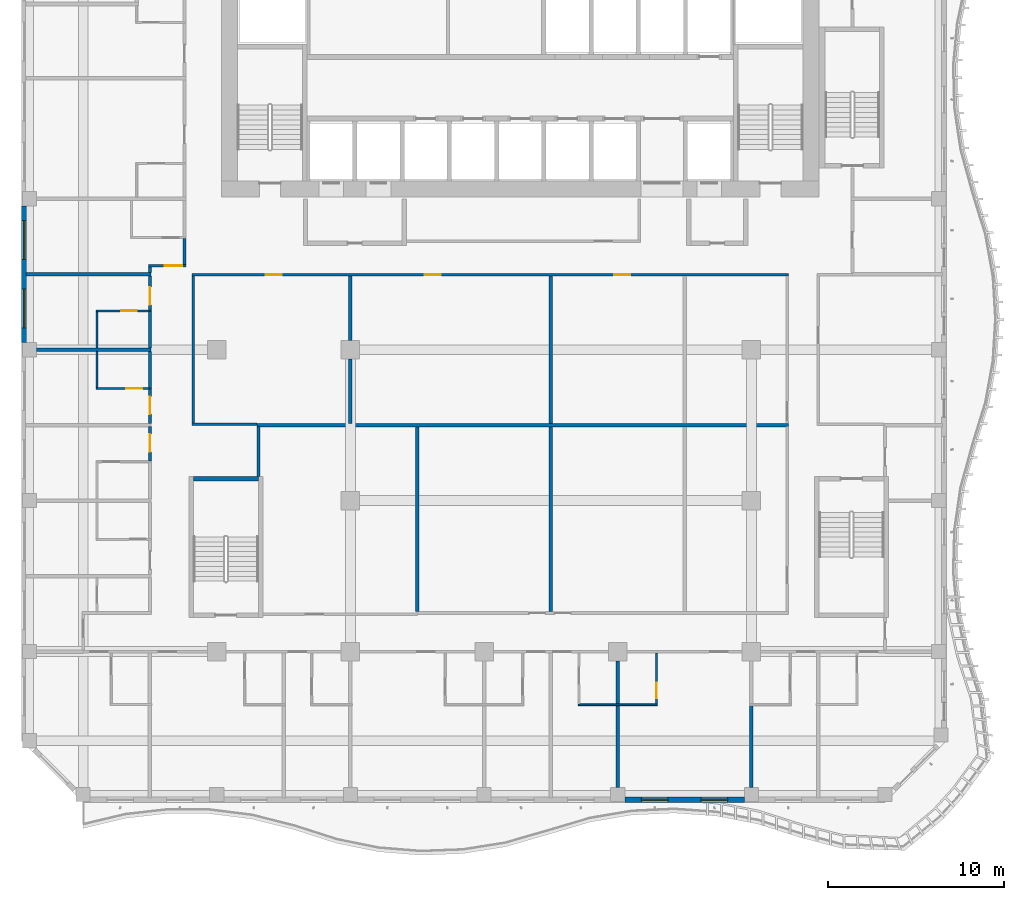
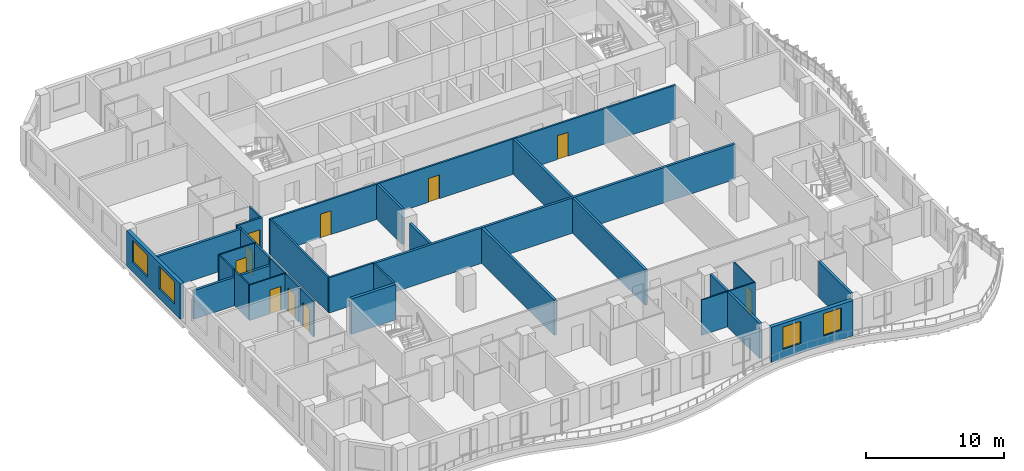
# One storey, part 4 of 23: 32 walls, 10 doors, 4 windows, 14 openings.
"""IFC4 building model written with IfcOpenShell, lengths in metres."""

import ifcopenshell
import ifcopenshell.guid

model = None  # the IFC model being written
_history = None  # IfcOwnerHistory: only IFC2X3 demands one
_inside = {}  # id of a spatial element -> (the spatial element, [elements in it])
_under = {}  # id of a project, library or spatial element -> (it, [spatial elements below it])
_declared = {}  # id of a project -> (the project, [libraries it declares])
_typed = {}  # id of a type object -> (the type object, [elements of that type])
_made_of = {}  # id of a material, layer set ... -> (it, [elements and type objects made of it])


def new_model(schema):
    """Start an empty IFC model of exactly this schema.

    Asked for "IFC4X3", IfcOpenShell would pick the latest addendum, in which some entities
    have other attributes; the version numbers below select the first issue.
    IFC2X3 requires an IfcOwnerHistory on every rooted entity: one is made here for all.
    """
    global model, _history
    if schema == "IFC4X3":
        model = ifcopenshell.file(schema_version=(4, 3, 0, 0))
    else:
        model = ifcopenshell.file(schema=schema)
    _inside.clear()
    _under.clear()
    _declared.clear()
    _typed.clear()
    _made_of.clear()
    _history = None
    if model.schema == "IFC2X3":
        org = make("IfcOrganization", Name="unknown")
        user = make(
            "IfcPersonAndOrganization",
            ThePerson=make("IfcPerson", FamilyName="unknown"),
            TheOrganization=org,
        )
        app = make(
            "IfcApplication",
            ApplicationDeveloper=org,
            Version="unknown",
            ApplicationFullName="unknown",
            ApplicationIdentifier="unknown",
        )
        _history = make(
            "IfcOwnerHistory",
            OwningUser=user,
            OwningApplication=app,
            ChangeAction="ADDED",
            CreationDate=0,
        )
    return model


def make(cls, **values):
    """One entity of the class cls with the attributes given. An attribute that is None is left unset."""
    return model.create_entity(
        cls, **{name: value for name, value in values.items() if value is not None}
    )


def rooted(cls, **values):
    """An entity with a GlobalId (a new one), such as an element, a storey or a relation."""
    return make(cls, GlobalId=ifcopenshell.guid.new(), OwnerHistory=_history, **values)


def si_unit(unit_type, name, prefix=None):
    """IfcSIUnit, for example si_unit("LENGTHUNIT", "METRE", prefix="MILLI")."""
    return make("IfcSIUnit", UnitType=unit_type, Prefix=prefix, Name=name)


def assignment(units):
    """IfcUnitAssignment: the units of a project."""
    return None if units is None else make("IfcUnitAssignment", Units=units)


def point(xyz):
    """IfcCartesianPoint."""
    return None if xyz is None else make("IfcCartesianPoint", Coordinates=xyz)


def direction(xyz):
    """IfcDirection."""
    return None if xyz is None else make("IfcDirection", DirectionRatios=xyz)


def frame(location, z_axis=None, x_axis=None):
    """IfcAxis2Placement3D, a coordinate frame: its origin and axes. An axis left out is left unset."""
    return make(
        "IfcAxis2Placement3D",
        Location=point(location),
        Axis=direction(z_axis),
        RefDirection=direction(x_axis),
    )


def frame_2d(location, x_axis=None):
    """IfcAxis2Placement2D, a coordinate frame in the plane: its origin and x axis."""
    return make(
        "IfcAxis2Placement2D", Location=point(location), RefDirection=direction(x_axis)
    )


def origin():
    """The frame at (0, 0, 0) with its axes left unset."""
    return frame((0.0, 0.0, 0.0))


def place(relative_to, where):
    """IfcLocalPlacement: puts the frame where relative to a parent placement (None: the world)."""
    return make(
        "IfcLocalPlacement", PlacementRelTo=relative_to, RelativePlacement=where
    )


def context(
    kind, dimensions, precision=None, world=None, true_north=None, identifier=None
):
    """IfcGeometricRepresentationContext, for example the 3D "Model" context."""
    return make(
        "IfcGeometricRepresentationContext",
        ContextIdentifier=identifier,
        ContextType=kind,
        CoordinateSpaceDimension=dimensions,
        Precision=precision,
        WorldCoordinateSystem=world,
        TrueNorth=true_north,
    )


def subcontext(parent, identifier, kind, view, scale=None):
    """IfcGeometricRepresentationSubContext, for example "Body" below "Model"."""
    return make(
        "IfcGeometricRepresentationSubContext",
        ContextIdentifier=identifier,
        ContextType=kind,
        ParentContext=parent,
        TargetScale=scale,
        TargetView=view,
    )


def project(units=None, contexts=None):
    """IfcProject with its units and contexts."""
    return rooted(
        "IfcProject",
        Name="project",
        RepresentationContexts=contexts,
        UnitsInContext=assignment(units),
    )


def spatial(cls, under=None, at=None, **own):
    """A site, building, storey or space (cls), placed at a placement, below another one or the project."""
    s = rooted(cls, ObjectPlacement=at, **own)
    if under is not None:
        _under.setdefault(under.id(), (under, []))[1].append(s)
    return s


def profile(cls, at=None, kind="AREA", **sizes):
    """A parametric profile (cls). Its sizes go by their IFC names, for example OverallWidth=200.0."""
    return make(cls, ProfileType=kind, Position=at, **sizes)


def rectangle(**sizes):
    """IfcRectangleProfileDef."""
    return profile("IfcRectangleProfileDef", **sizes)


def extrude(swept, where, along, depth):
    """IfcExtrudedAreaSolid: the profile swept, set in the frame where, extruded along a direction by depth."""
    return make(
        "IfcExtrudedAreaSolid",
        SweptArea=swept,
        Position=where,
        ExtrudedDirection=direction(along),
        Depth=depth,
    )


def shape(context_of_items, identifier, shape_type, items):
    """IfcShapeRepresentation: the items that make up one representation, for example the "Body"."""
    return make(
        "IfcShapeRepresentation",
        ContextOfItems=context_of_items,
        RepresentationIdentifier=identifier,
        RepresentationType=shape_type,
        Items=items,
    )


def source(mapping_origin, context_of_items, identifier, shape_type, items):
    """IfcRepresentationMap: a shape defined once, which mapped items show again and again."""
    return make(
        "IfcRepresentationMap",
        MappingOrigin=mapping_origin,
        MappedRepresentation=shape(context_of_items, identifier, shape_type, items),
    )


def transform(
    local_origin,
    x_axis=None,
    y_axis=None,
    z_axis=None,
    scale=None,
    scale2=None,
    scale3=None,
    uniform=True,
):
    """IfcCartesianTransformationOperator3D, or its non-uniform kind. x_axis, y_axis, z_axis: its Axis1, 2, 3."""
    if uniform:
        return make(
            "IfcCartesianTransformationOperator3D",
            Axis1=direction(x_axis),
            Axis2=direction(y_axis),
            LocalOrigin=point(local_origin),
            Scale=scale,
            Axis3=direction(z_axis),
        )
    return make(
        "IfcCartesianTransformationOperator3DnonUniform",
        Axis1=direction(x_axis),
        Axis2=direction(y_axis),
        LocalOrigin=point(local_origin),
        Scale=scale,
        Axis3=direction(z_axis),
        Scale2=scale2,
        Scale3=scale3,
    )


def mapped(mapping_source, mapping_target):
    """IfcMappedItem: shows the shape of a source again, moved by a transform."""
    return make(
        "IfcMappedItem", MappingSource=mapping_source, MappingTarget=mapping_target
    )


def material(Name=None, Category=None):
    """IfcMaterial."""
    return make("IfcMaterial", Name=Name, Category=Category)


def layer(
    of_material, thickness, ventilated=None, Name=None, Category=None, Priority=None
):
    """IfcMaterialLayer: one layer of a wall or slab, of a material (None: an air gap)."""
    return make(
        "IfcMaterialLayer",
        Material=of_material,
        LayerThickness=thickness,
        IsVentilated=ventilated,
        Name=Name,
        Category=Category,
        Priority=Priority,
    )


def layer_set(layers, Name=None):
    """IfcMaterialLayerSet."""
    return make("IfcMaterialLayerSet", MaterialLayers=layers, LayerSetName=Name)


def made_of(thing, what):
    """Note that an element or type object is made of a material, layer set ...; save() writes the relation."""
    if what is not None:
        _made_of.setdefault(what.id(), (what, []))[1].append(thing)
    return thing


def type_object(cls, material=None, **own):
    """A type object (cls), such as IfcWallType, which elements share."""
    return made_of(rooted(cls, **own), material)


def element(
    cls,
    number,
    at=None,
    inside=None,
    cuts=None,
    type_object=None,
    material=None,
    context=None,
    identifier="Body",
    shape_type=None,
    held_by="IfcProductDefinitionShape",
    body=None,
    shapes=None,
    **own,
):
    """One element of the class cls, such as IfcWall. Its Tag is "e" and its number.

    at: its placement. inside: the storey or other place that contains it. cuts: it is an
    opening in that element (IfcRelVoidsElement). A single representation is given by context,
    identifier, shape_type and body (its items); several are given by shapes. held_by: the class
    of the entity that holds the representations. save() writes the other relations.
    """
    e = rooted(cls, Tag="e%d" % number, ObjectPlacement=at, **own)
    if body is not None:
        shapes = [shape(context, identifier, shape_type, body)]
    if shapes is not None:
        e.Representation = make(held_by, Representations=shapes)
    if inside is not None:
        _inside.setdefault(inside.id(), (inside, []))[1].append(e)
    if cuts is not None:
        rooted(
            "IfcRelVoidsElement", RelatingBuildingElement=cuts, RelatedOpeningElement=e
        )
    if type_object is not None:
        _typed.setdefault(type_object.id(), (type_object, []))[1].append(e)
    return made_of(e, material)


def fill(opening, filler):
    """IfcRelFillsElement: the door or window that sits in an opening."""
    return rooted(
        "IfcRelFillsElement",
        RelatingOpeningElement=opening,
        RelatedBuildingElement=filler,
    )


def aggregate(whole, parts):
    """IfcRelAggregates: a whole, such as a stair, and the parts it consists of."""
    return rooted("IfcRelAggregates", RelatingObject=whole, RelatedObjects=parts)


def save(model, path):
    """Write the relations noted so far, then the file.

    IfcRelAggregates (storeys below a building ...), IfcRelContainedInSpatialStructure (elements
    in a storey), IfcRelDefinesByType, IfcRelAssociatesMaterial and IfcRelDeclares: one each for
    every whole, place, type object, material and project.
    """
    for whole, parts in _under.values():
        aggregate(whole, parts)
    for where, things in _inside.values():
        rooted(
            "IfcRelContainedInSpatialStructure",
            RelatedElements=things,
            RelatingStructure=where,
        )
    for kind, things in _typed.values():
        rooted("IfcRelDefinesByType", RelatedObjects=things, RelatingType=kind)
    for what, things in _made_of.values():
        rooted("IfcRelAssociatesMaterial", RelatedObjects=things, RelatingMaterial=what)
    for by, libraries in _declared.values():
        rooted("IfcRelDeclares", RelatingContext=by, RelatedDefinitions=libraries)
    model.write(path)


model = new_model("IFC4")

# Units and contexts
model_context = context("Model", 3, precision=1e-05, world=origin(), true_north=direction((0.0, 1.0)))
body_context = subcontext(model_context, "Body", "Model", "MODEL_VIEW")
ifc_project = project(units=[si_unit("LENGTHUNIT", "METRE"), si_unit("AREAUNIT", "SQUARE_METRE"), si_unit("VOLUMEUNIT", "CUBIC_METRE"), si_unit("PLANEANGLEUNIT", "RADIAN"), si_unit("MASSUNIT", "GRAM", prefix="KILO")], contexts=[model_context])

# Site, building, storey
site_placement = place(None, origin())
site = spatial("IfcSite", under=ifc_project, at=site_placement, CompositionType="ELEMENT")
building_placement = place(site_placement, origin())
building = spatial("IfcBuilding", under=site, at=building_placement, Name="Kilnfold Tower and Market Hall", CompositionType="ELEMENT")
storey_placement = place(building_placement, frame((0.0, 0.0, 178.699951171875)))
storey = spatial("IfcBuildingStorey", under=building, at=storey_placement, Name="L42", CompositionType="ELEMENT", Elevation=178.699951171875)

# Wall, opening, door
ifc_material_1 = material(Name="Gypsum board on steel studs", Category="steel")
ifc_layer_1 = layer(ifc_material_1, 0.14990234375)
ifc_layer_set_1 = layer_set([ifc_layer_1], Name="Gypsum board on steel studs")
wall_type_1 = type_object("IfcWallType", Name="WALL CORRIDOR 150", PredefinedType="PARTITIONING", material=ifc_layer_set_1)
wall_1_placement = place(storey_placement, frame((-19.958984375, -6.885009765625, 0.0), z_axis=(0.0, 0.0, 1.0), x_axis=(0.0, 1.0, 0.0)))
wall_1 = element("IfcWall", 1, at=wall_1_placement, inside=storey, type_object=wall_type_1, Name="Partition LY27.12", PredefinedType="PARTITIONING", context=body_context, shape_type="SweptSolid", body=[
    extrude(rectangle(XDim=1.951904296875, YDim=0.14990234375, at=frame_2d((0.97607421875, 0.0))), origin(), (0.0, 0.0, 1.0), 3.1201171875),
])
opening_1_placement = place(wall_1_placement, frame((0.531005859375, 0.0, 0.0)))
opening_1 = element("IfcOpeningElement", 2, at=opening_1_placement, cuts=wall_1, Name="Opening D1", PredefinedType="OPENING", context=body_context, shape_type="SweptSolid", body=[
    extrude(rectangle(XDim=1.0, YDim=2.10009765625, at=frame_2d((0.5, 1.050048828125))), frame((0.0, 0.0849609375, 0.0), z_axis=(0.0, -1.0, 0.0), x_axis=(1.0, 0.0, 0.0)), (0.0, 0.0, 1.0), 0.169921875),
])
ifc_material_2 = material(Name="Timber veneer door leaf in steel frame", Category="steel")
door_type_1 = type_object("IfcDoorType", Name="DOOR ENTRY 1000 X2100", OperationType="NOTDEFINED", PredefinedType="DOOR", material=ifc_material_2)
door_1_placement = place(opening_1_placement, origin())
door_1 = element("IfcDoor", 3, at=door_1_placement, inside=storey, type_object=door_type_1, Name="Door D1", OperationType="SINGLE_SWING_LEFT", OverallHeight=2.10009765625, OverallWidth=1.0, PredefinedType="DOOR", context=body_context, shape_type="SweptSolid", body=[
    extrude(rectangle(XDim=1.0, YDim=2.10009765625, at=frame_2d((0.5, 1.050048828125))), frame((0.0, 0.02490234375, 0.0), z_axis=(0.0, -1.0, 0.0), x_axis=(1.0, 0.0, 0.0)), (0.0, 0.0, 1.0), 0.050048828125),
])
fill(opening_1, door_1)

wall_2_placement = place(storey_placement, frame((-19.958984375, -4.7529296875, 0.0), z_axis=(0.0, 0.0, 1.0), x_axis=(0.0, 1.0, 0.0)))
wall_2 = element("IfcWall", 4, at=wall_2_placement, inside=storey, type_object=wall_type_1, Name="Partition LY27.14", PredefinedType="PARTITIONING", context=body_context, shape_type="SweptSolid", body=[
    extrude(rectangle(XDim=1.950927734375, YDim=0.14990234375, at=frame_2d((0.9755859375, 0.0))), origin(), (0.0, 0.0, 1.0), 3.1201171875),
])
opening_2_placement = place(wall_2_placement, frame((0.531005859375, 0.0, 0.0)))
opening_2 = element("IfcOpeningElement", 5, at=opening_2_placement, cuts=wall_2, Name="Opening D1", PredefinedType="OPENING", context=body_context, shape_type="SweptSolid", body=[
    extrude(rectangle(XDim=1.0, YDim=2.10009765625, at=frame_2d((0.5, 1.050048828125))), frame((0.0, 0.0849609375, 0.0), z_axis=(0.0, -1.0, 0.0), x_axis=(1.0, 0.0, 0.0)), (0.0, 0.0, 1.0), 0.169921875),
])
door_2_placement = place(opening_2_placement, origin())
door_2 = element("IfcDoor", 6, at=door_2_placement, inside=storey, type_object=door_type_1, Name="Door D1", OperationType="SINGLE_SWING_LEFT", OverallHeight=2.10009765625, OverallWidth=1.0, PredefinedType="DOOR", context=body_context, shape_type="SweptSolid", body=[
    extrude(rectangle(XDim=1.0, YDim=2.10009765625, at=frame_2d((0.5, 1.050048828125))), frame((0.0, 0.02490234375, 0.0), z_axis=(0.0, -1.0, 0.0), x_axis=(1.0, 0.0, 0.0)), (0.0, 0.0, 1.0), 0.050048828125),
])
fill(opening_2, door_2)

# Wall
wall_3_placement = place(storey_placement, frame((-19.958984375, -2.721923828125, 0.0), z_axis=(0.0, 0.0, 1.0), x_axis=(0.0, 1.0, 0.0)))
element("IfcWall", 7, at=wall_3_placement, inside=storey, type_object=wall_type_1, Name="Partition LY27.15", PredefinedType="PARTITIONING", context=body_context, shape_type="SweptSolid", body=[
    extrude(rectangle(XDim=2.06982421875, YDim=0.14990234375, at=frame_2d((1.034912109375, 0.0))), origin(), (0.0, 0.0, 1.0), 3.1201171875),
])

# Wall, opening, door
wall_4_placement = place(storey_placement, frame((-19.958984375, 1.677978515625, 0.0), z_axis=(0.0, 0.0, 1.0), x_axis=(0.0, 1.0, 0.0)))
wall_4 = element("IfcWall", 8, at=wall_4_placement, inside=storey, type_object=wall_type_1, Name="Partition LY27.16", PredefinedType="PARTITIONING", context=body_context, shape_type="SweptSolid", body=[
    extrude(rectangle(XDim=1.950927734375, YDim=0.14990234375, at=frame_2d((0.9755859375, 0.0))), origin(), (0.0, 0.0, 1.0), 3.1201171875),
])
opening_3_placement = place(wall_4_placement, frame((0.31005859375, 0.0, 0.0)))
opening_3 = element("IfcOpeningElement", 9, at=opening_3_placement, cuts=wall_4, Name="Opening D1", PredefinedType="OPENING", context=body_context, shape_type="SweptSolid", body=[
    extrude(rectangle(XDim=1.0, YDim=2.10009765625, at=frame_2d((0.5, 1.050048828125))), frame((0.0, 0.0849609375, 0.0), z_axis=(0.0, -1.0, 0.0), x_axis=(1.0, 0.0, 0.0)), (0.0, 0.0, 1.0), 0.169921875),
])
door_3_placement = place(opening_3_placement, origin())
door_3 = element("IfcDoor", 10, at=door_3_placement, inside=storey, type_object=door_type_1, Name="Door D1", OperationType="SINGLE_SWING_LEFT", OverallHeight=2.10009765625, OverallWidth=1.0, PredefinedType="DOOR", context=body_context, shape_type="SweptSolid", body=[
    extrude(rectangle(XDim=1.0, YDim=2.10009765625, at=frame_2d((0.5, 1.050048828125))), frame((0.0, 0.02490234375, 0.0), z_axis=(0.0, -1.0, 0.0), x_axis=(1.0, 0.0, 0.0)), (0.0, 0.0, 1.0), 0.050048828125),
])
fill(opening_3, door_3)

# Walls
wall_5_placement = place(storey_placement, frame((-19.958984375, -0.471923828125, 0.0), z_axis=(0.0, 0.0, 1.0), x_axis=(0.0, 1.0, 0.0)))
element("IfcWall", 11, at=wall_5_placement, inside=storey, type_object=wall_type_1, Name="Partition LY27.17", PredefinedType="PARTITIONING", context=body_context, shape_type="SweptSolid", body=[
    extrude(rectangle(XDim=2.06982421875, YDim=0.14990234375, at=frame_2d((1.034912109375, 0.0))), origin(), (0.0, 0.0, 1.0), 3.1201171875),
])
wall_6_placement = place(storey_placement, frame((-19.958984375, 3.80908203125, 0.0), z_axis=(0.0, 0.0, 1.0), x_axis=(0.0, 1.0, 0.0)))
element("IfcWall", 12, at=wall_6_placement, inside=storey, type_object=wall_type_1, Name="Partition LY27.18", PredefinedType="PARTITIONING", context=body_context, shape_type="SweptSolid", body=[
    extrude(rectangle(XDim=0.31591796875, YDim=0.14990234375, at=frame_2d((0.157958984375, 0.0))), origin(), (0.0, 0.0, 1.0), 3.1201171875),
])

# Wall, opening, door
wall_7_placement = place(storey_placement, frame((-17.925048828125, 4.199951171875, 0.0), z_axis=(0.0, 0.0, 1.0), x_axis=(-1.0, 0.0, 0.0)))
wall_7 = element("IfcWall", 13, at=wall_7_placement, inside=storey, type_object=wall_type_1, Name="Partition LY27.19", PredefinedType="PARTITIONING", context=body_context, shape_type="SweptSolid", body=[
    extrude(rectangle(XDim=2.10888671875, YDim=0.14990234375, at=frame_2d((1.054443359375, 0.0))), origin(), (0.0, 0.0, 1.0), 3.1201171875),
])
opening_4_placement = place(wall_7_placement, frame((0.199951171875, 0.0, 0.0)))
opening_4 = element("IfcOpeningElement", 14, at=opening_4_placement, cuts=wall_7, Name="Opening D1", PredefinedType="OPENING", context=body_context, shape_type="SweptSolid", body=[
    extrude(rectangle(XDim=1.0, YDim=2.10009765625, at=frame_2d((0.5, 1.050048828125))), frame((0.0, 0.0849609375, 0.0), z_axis=(0.0, -1.0, 0.0), x_axis=(1.0, 0.0, 0.0)), (0.0, 0.0, 1.0), 0.169921875),
])
door_4_placement = place(opening_4_placement, origin())
door_4 = element("IfcDoor", 15, at=door_4_placement, inside=storey, type_object=door_type_1, Name="Door D1", OperationType="SINGLE_SWING_LEFT", OverallHeight=2.10009765625, OverallWidth=1.0, PredefinedType="DOOR", context=body_context, shape_type="SweptSolid", body=[
    extrude(rectangle(XDim=1.0, YDim=2.10009765625, at=frame_2d((0.5, 1.050048828125))), frame((0.0, 0.02490234375, 0.0), z_axis=(0.0, -1.0, 0.0), x_axis=(1.0, 0.0, 0.0)), (0.0, 0.0, 1.0), 0.050048828125),
])
fill(opening_4, door_4)

# Wall
wall_8_placement = place(storey_placement, frame((-18.0, 4.27490234375, 0.0), z_axis=(0.0, 0.0, 1.0), x_axis=(0.0, 1.0, 0.0)))
element("IfcWall", 16, at=wall_8_placement, inside=storey, type_object=wall_type_1, Name="Partition LY27.20", PredefinedType="PARTITIONING", context=body_context, shape_type="SweptSolid", body=[
    extrude(rectangle(XDim=1.485107421875, YDim=0.14990234375, at=frame_2d((0.74267578125, 0.0))), origin(), (0.0, 0.0, 1.0), 3.1201171875),
])

# Wall, openings, doors
wall_9_placement = place(storey_placement, frame((-17.574951171875, 3.699951171875, 0.0), z_axis=(0.0, 0.0, 1.0), x_axis=(1.0, 0.0, 0.0)))
wall_9 = element("IfcWall", 17, at=wall_9_placement, inside=storey, type_object=wall_type_1, Name="Partition LY27.42", PredefinedType="PARTITIONING", context=body_context, shape_type="SweptSolid", body=[
    extrude(rectangle(XDim=33.849853515625, YDim=0.14990234375, at=frame_2d((16.9248046875, 0.0))), origin(), (0.0, 0.0, 1.0), 3.1201171875),
])
opening_5_placement = place(wall_9_placement, frame((4.200927734375, 0.0, 0.0)))
opening_5 = element("IfcOpeningElement", 18, at=opening_5_placement, cuts=wall_9, Name="Opening D2", PredefinedType="OPENING", context=body_context, shape_type="SweptSolid", body=[
    extrude(rectangle(XDim=0.89990234375, YDim=2.10009765625, at=frame_2d((0.449951171875, 1.050048828125))), frame((0.0, 0.0849609375, 0.0), z_axis=(0.0, -1.0, 0.0), x_axis=(1.0, 0.0, 0.0)), (0.0, 0.0, 1.0), 0.169921875),
])
opening_6_placement = place(wall_9_placement, frame((13.219970703125, 0.0, 0.0)))
opening_6 = element("IfcOpeningElement", 19, at=opening_6_placement, cuts=wall_9, Name="Opening D2", PredefinedType="OPENING", context=body_context, shape_type="SweptSolid", body=[
    extrude(rectangle(XDim=0.89990234375, YDim=2.10009765625, at=frame_2d((0.449951171875, 1.050048828125))), frame((0.0, 0.0849609375, 0.0), z_axis=(0.0, -1.0, 0.0), x_axis=(1.0, 0.0, 0.0)), (0.0, 0.0, 1.0), 0.169921875),
])
opening_7_placement = place(wall_9_placement, frame((23.958984375, 0.0, 0.0)))
opening_7 = element("IfcOpeningElement", 20, at=opening_7_placement, cuts=wall_9, Name="Opening D2", PredefinedType="OPENING", context=body_context, shape_type="SweptSolid", body=[
    extrude(rectangle(XDim=0.89990234375, YDim=2.10009765625, at=frame_2d((0.449951171875, 1.050048828125))), frame((0.0, 0.0849609375, 0.0), z_axis=(0.0, -1.0, 0.0), x_axis=(1.0, 0.0, 0.0)), (0.0, 0.0, 1.0), 0.169921875),
])
ifc_material_3 = material(Name="Timber veneer door leaf in steel frame", Category="steel")
door_type_2 = type_object("IfcDoorType", Name="DOOR ROOM 900 X2100", OperationType="NOTDEFINED", PredefinedType="DOOR", material=ifc_material_3)
door_5_placement = place(opening_5_placement, origin())
door_5 = element("IfcDoor", 21, at=door_5_placement, inside=storey, type_object=door_type_2, Name="Door D2", OperationType="SINGLE_SWING_LEFT", OverallHeight=2.10009765625, OverallWidth=0.89990234375, PredefinedType="DOOR", context=body_context, shape_type="SweptSolid", body=[
    extrude(rectangle(XDim=0.89990234375, YDim=2.10009765625, at=frame_2d((0.449951171875, 1.050048828125))), frame((0.0, 0.02490234375, 0.0), z_axis=(0.0, -1.0, 0.0), x_axis=(1.0, 0.0, 0.0)), (0.0, 0.0, 1.0), 0.050048828125),
])
fill(opening_5, door_5)
door_6_placement = place(opening_6_placement, origin())
door_6 = element("IfcDoor", 22, at=door_6_placement, inside=storey, type_object=door_type_2, Name="Door D2", OperationType="SINGLE_SWING_LEFT", OverallHeight=2.10009765625, OverallWidth=0.89990234375, PredefinedType="DOOR", context=body_context, shape_type="SweptSolid", body=[
    extrude(rectangle(XDim=0.89990234375, YDim=2.10009765625, at=frame_2d((0.449951171875, 1.050048828125))), frame((0.0, 0.02490234375, 0.0), z_axis=(0.0, -1.0, 0.0), x_axis=(1.0, 0.0, 0.0)), (0.0, 0.0, 1.0), 0.050048828125),
])
fill(opening_6, door_6)
door_7_placement = place(opening_7_placement, origin())
door_7 = element("IfcDoor", 23, at=door_7_placement, inside=storey, type_object=door_type_2, Name="Door D2", OperationType="SINGLE_SWING_LEFT", OverallHeight=2.10009765625, OverallWidth=0.89990234375, PredefinedType="DOOR", context=body_context, shape_type="SweptSolid", body=[
    extrude(rectangle(XDim=0.89990234375, YDim=2.10009765625, at=frame_2d((0.449951171875, 1.050048828125))), frame((0.0, 0.02490234375, 0.0), z_axis=(0.0, -1.0, 0.0), x_axis=(1.0, 0.0, 0.0)), (0.0, 0.0, 1.0), 0.050048828125),
])
fill(opening_7, door_7)

# Walls
wall_10_placement = place(storey_placement, frame((-17.5, -4.72509765625, 0.0), z_axis=(0.0, 0.0, 1.0), x_axis=(0.0, 1.0, 0.0)))
element("IfcWall", 24, at=wall_10_placement, inside=storey, type_object=wall_type_1, Name="Partition LY27.43", PredefinedType="PARTITIONING", context=body_context, shape_type="SweptSolid", body=[
    extrude(rectangle(XDim=8.35009765625, YDim=0.14990234375, at=frame_2d((4.175048828125, 0.0))), origin(), (0.0, 0.0, 1.0), 3.1201171875),
])
wall_11_placement = place(storey_placement, frame((-17.574951171875, -4.800048828125, 0.0), z_axis=(0.0, 0.0, 1.0), x_axis=(1.0, 0.0, 0.0)))
element("IfcWall", 25, at=wall_11_placement, inside=storey, type_object=wall_type_1, Name="Partition LY27.44", PredefinedType="PARTITIONING", context=body_context, shape_type="SweptSolid", body=[
    extrude(rectangle(XDim=3.701904296875, YDim=0.14990234375, at=frame_2d((1.85107421875, 0.0))), origin(), (0.0, 0.0, 1.0), 3.1201171875),
])
wall_12_placement = place(storey_placement, frame((-13.800048828125, -7.75, 0.0), z_axis=(0.0, 0.0, 1.0), x_axis=(0.0, 1.0, 0.0)))
element("IfcWall", 26, at=wall_12_placement, inside=storey, type_object=wall_type_1, Name="Partition LY27.46", PredefinedType="PARTITIONING", context=body_context, shape_type="SweptSolid", body=[
    extrude(rectangle(XDim=2.81689453125, YDim=0.14990234375, at=frame_2d((1.408447265625, 0.0))), origin(), (0.0, 0.0, 1.0), 3.1201171875),
])
ifc_material_4 = material(Name="Gypsum board on steel studs", Category="steel")
ifc_layer_2 = layer(ifc_material_4, 0.10009765625)
ifc_layer_set_2 = layer_set([ifc_layer_2], Name="Gypsum board on steel studs")
wall_type_2 = type_object("IfcWallType", Name="WALL PARTITION 100", PredefinedType="PARTITIONING", material=ifc_layer_set_2)
wall_13_placement = place(storey_placement, frame((4.3330078125, -20.701904296875, 0.0), z_axis=(0.0, 0.0, 1.0), x_axis=(1.0, 0.0, 0.0)))
element("IfcWall", 27, at=wall_13_placement, inside=storey, type_object=wall_type_2, Name="Partition LY27.70", PredefinedType="PARTITIONING", context=body_context, shape_type="SweptSolid", body=[
    extrude(rectangle(XDim=4.5, YDim=0.10009765625, at=frame_2d((2.25, 0.0))), origin(), (0.0, 0.0, 1.0), 3.1201171875),
])

# Wall, opening, door
wall_14_placement = place(storey_placement, frame((8.782958984375, -17.777099609375, 0.0), z_axis=(0.0, 0.0, 1.0), x_axis=(0.0, -1.0, 0.0)))
wall_14 = element("IfcWall", 28, at=wall_14_placement, inside=storey, type_object=wall_type_2, Name="Partition LY27.73", PredefinedType="PARTITIONING", context=body_context, shape_type="SweptSolid", body=[
    extrude(rectangle(XDim=2.875, YDim=0.10009765625, at=frame_2d((1.4375, 0.0))), origin(), (0.0, 0.0, 1.0), 3.1201171875),
])
opening_8_placement = place(wall_14_placement, frame((1.669921875, 0.0, 0.0)))
opening_8 = element("IfcOpeningElement", 29, at=opening_8_placement, cuts=wall_14, Name="Opening D3", PredefinedType="OPENING", context=body_context, shape_type="SweptSolid", body=[
    extrude(rectangle(XDim=0.89990234375, YDim=2.10009765625, at=frame_2d((0.449951171875, 1.050048828125))), frame((0.0, 0.06005859375, 0.0), z_axis=(0.0, -1.0, 0.0), x_axis=(1.0, 0.0, 0.0)), (0.0, 0.0, 1.0), 0.1201171875),
])
ifc_material_5 = material(Name="Timber veneer door leaf in steel frame", Category="steel")
door_type_3 = type_object("IfcDoorType", Name="DOOR WC 900 X2100", OperationType="NOTDEFINED", PredefinedType="DOOR", material=ifc_material_5)
door_8_placement = place(opening_8_placement, origin())
door_8 = element("IfcDoor", 30, at=door_8_placement, inside=storey, type_object=door_type_3, Name="Door D3", OperationType="SINGLE_SWING_LEFT", OverallHeight=2.10009765625, OverallWidth=0.89990234375, PredefinedType="DOOR", context=body_context, shape_type="SweptSolid", body=[
    extrude(rectangle(XDim=0.89990234375, YDim=2.10009765625, at=frame_2d((0.449951171875, 1.050048828125))), frame((0.0, 0.02490234375, 0.0), z_axis=(0.0, -1.0, 0.0), x_axis=(1.0, 0.0, 0.0)), (0.0, 0.0, 1.0), 0.050048828125),
])
fill(opening_8, door_8)

wall_15_placement = place(storey_placement, frame((-19.885986328125, -2.761962890625, 0.0), z_axis=(0.0, 0.0, 1.0), x_axis=(-1.0, 0.0, 0.0)))
wall_15 = element("IfcWall", 31, at=wall_15_placement, inside=storey, type_object=wall_type_2, Name="Partition LY27.91", PredefinedType="PARTITIONING", context=body_context, shape_type="SweptSolid", body=[
    extrude(rectangle(XDim=3.125, YDim=0.10009765625, at=frame_2d((1.5625, 0.0))), origin(), (0.0, 0.0, 1.0), 3.1201171875),
])
opening_9_placement = place(wall_15_placement, frame((0.50390625, 0.0, 0.0)))
opening_9 = element("IfcOpeningElement", 32, at=opening_9_placement, cuts=wall_15, Name="Opening D3", PredefinedType="OPENING", context=body_context, shape_type="SweptSolid", body=[
    extrude(rectangle(XDim=0.89990234375, YDim=2.10009765625, at=frame_2d((0.449951171875, 1.050048828125))), frame((0.0, 0.06005859375, 0.0), z_axis=(0.0, -1.0, 0.0), x_axis=(1.0, 0.0, 0.0)), (0.0, 0.0, 1.0), 0.1201171875),
])
door_9_placement = place(opening_9_placement, origin())
door_9 = element("IfcDoor", 33, at=door_9_placement, inside=storey, type_object=door_type_3, Name="Door D3", OperationType="SINGLE_SWING_RIGHT", OverallHeight=2.10009765625, OverallWidth=0.89990234375, PredefinedType="DOOR", context=body_context, shape_type="SweptSolid", body=[
    extrude(rectangle(XDim=0.89990234375, YDim=2.10009765625, at=frame_2d((0.449951171875, 1.050048828125))), frame((0.0, 0.02490234375, 0.0), z_axis=(0.0, -1.0, 0.0), x_axis=(1.0, 0.0, 0.0)), (0.0, 0.0, 1.0), 0.050048828125),
])
fill(opening_9, door_9)

# Wall
wall_16_placement = place(storey_placement, frame((-22.9609375, -2.7119140625, 0.0), z_axis=(0.0, 0.0, 1.0), x_axis=(0.0, 1.0, 0.0)))
element("IfcWall", 34, at=wall_16_placement, inside=storey, type_object=wall_type_2, Name="Partition LY27.92", PredefinedType="PARTITIONING", context=body_context, shape_type="SweptSolid", body=[
    extrude(rectangle(XDim=2.0498046875, YDim=0.10009765625, at=frame_2d((1.02490234375, 0.0))), origin(), (0.0, 0.0, 1.0), 3.1201171875),
])

# Wall, opening, door
wall_17_placement = place(storey_placement, frame((-23.010986328125, 1.637939453125, 0.0), z_axis=(0.0, 0.0, 1.0), x_axis=(1.0, 0.0, 0.0)))
wall_17 = element("IfcWall", 35, at=wall_17_placement, inside=storey, type_object=wall_type_2, Name="Partition LY27.94", PredefinedType="PARTITIONING", context=body_context, shape_type="SweptSolid", body=[
    extrude(rectangle(XDim=3.125, YDim=0.10009765625, at=frame_2d((1.5625, 0.0))), origin(), (0.0, 0.0, 1.0), 3.1201171875),
])
opening_10_placement = place(wall_17_placement, frame((1.4169921875, 0.0, 0.0)))
opening_10 = element("IfcOpeningElement", 36, at=opening_10_placement, cuts=wall_17, Name="Opening D3", PredefinedType="OPENING", context=body_context, shape_type="SweptSolid", body=[
    extrude(rectangle(XDim=0.89990234375, YDim=2.10009765625, at=frame_2d((0.449951171875, 1.050048828125))), frame((0.0, 0.06005859375, 0.0), z_axis=(0.0, -1.0, 0.0), x_axis=(1.0, 0.0, 0.0)), (0.0, 0.0, 1.0), 0.1201171875),
])
door_10_placement = place(opening_10_placement, origin())
door_10 = element("IfcDoor", 37, at=door_10_placement, inside=storey, type_object=door_type_3, Name="Door D3", OperationType="SINGLE_SWING_LEFT", OverallHeight=2.10009765625, OverallWidth=0.89990234375, PredefinedType="DOOR", context=body_context, shape_type="SweptSolid", body=[
    extrude(rectangle(XDim=0.89990234375, YDim=2.10009765625, at=frame_2d((0.449951171875, 1.050048828125))), frame((0.0, 0.02490234375, 0.0), z_axis=(0.0, -1.0, 0.0), x_axis=(1.0, 0.0, 0.0)), (0.0, 0.0, 1.0), 0.050048828125),
])
fill(opening_10, door_10)

# Walls
wall_18_placement = place(storey_placement, frame((-22.9609375, -0.4619140625, 0.0), z_axis=(0.0, 0.0, 1.0), x_axis=(0.0, 1.0, 0.0)))
element("IfcWall", 38, at=wall_18_placement, inside=storey, type_object=wall_type_2, Name="Partition LY27.95", PredefinedType="PARTITIONING", context=body_context, shape_type="SweptSolid", body=[
    extrude(rectangle(XDim=2.0498046875, YDim=0.10009765625, at=frame_2d((1.02490234375, 0.0))), origin(), (0.0, 0.0, 1.0), 3.1201171875),
])
ifc_material_6 = material(Name="Gypsum board on steel studs", Category="steel")
ifc_layer_3 = layer(ifc_material_6, 0.199951171875)
ifc_layer_set_3 = layer_set([ifc_layer_3], Name="Gypsum board on steel studs")
wall_type_3 = type_object("IfcWallType", Name="WALL PARTY 200", PredefinedType="PARTITIONING", material=ifc_layer_set_3)
wall_19_placement = place(storey_placement, frame((6.5830078125, -25.39990234375, 0.0), z_axis=(0.0, 0.0, 1.0), x_axis=(0.0, 1.0, 0.0)))
element("IfcWall", 39, at=wall_19_placement, inside=storey, type_object=wall_type_3, Name="Partition LY27.71", PredefinedType="PARTITIONING", context=body_context, shape_type="SweptSolid", body=[
    extrude(rectangle(XDim=4.64794921875, YDim=0.199951171875, at=frame_2d((2.323974609375, 0.0))), origin(), (0.0, 0.0, 1.0), 3.1201171875),
])
wall_20_placement = place(storey_placement, frame((6.5830078125, -20.652099609375, 0.0), z_axis=(0.0, 0.0, 1.0), x_axis=(0.0, 1.0, 0.0)))
element("IfcWall", 40, at=wall_20_placement, inside=storey, type_object=wall_type_3, Name="Partition LY27.72", PredefinedType="PARTITIONING", context=body_context, shape_type="SweptSolid", body=[
    extrude(rectangle(XDim=2.440185546875, YDim=0.199951171875, at=frame_2d((1.22021484375, 0.0))), origin(), (0.0, 0.0, 1.0), 3.1201171875),
])
wall_21_placement = place(storey_placement, frame((14.1669921875, -25.39990234375, 0.0), z_axis=(0.0, 0.0, 1.0), x_axis=(0.0, 1.0, 0.0)))
element("IfcWall", 41, at=wall_21_placement, inside=storey, type_object=wall_type_3, Name="Partition LY27.74", PredefinedType="PARTITIONING", context=body_context, shape_type="SweptSolid", body=[
    extrude(rectangle(XDim=4.657958984375, YDim=0.199951171875, at=frame_2d((2.3291015625, 0.0))), origin(), (0.0, 0.0, 1.0), 3.1201171875),
])
wall_22_placement = place(storey_placement, frame((-26.39990234375, -0.56201171875, 0.0), z_axis=(0.0, 0.0, 1.0), x_axis=(1.0, 0.0, 0.0)))
element("IfcWall", 42, at=wall_22_placement, inside=storey, type_object=wall_type_3, Name="Partition LY27.93", PredefinedType="PARTITIONING", context=body_context, shape_type="SweptSolid", body=[
    extrude(rectangle(XDim=6.513916015625, YDim=0.199951171875, at=frame_2d((3.2568359375, 0.0))), origin(), (0.0, 0.0, 1.0), 2.52001953125),
])
wall_23_placement = place(storey_placement, frame((-27.0, 3.718994140625, 0.0), z_axis=(0.0, 0.0, 1.0), x_axis=(1.0, 0.0, 0.0)))
element("IfcWall", 43, at=wall_23_placement, inside=storey, type_object=wall_type_3, Name="Partition LY27.96", PredefinedType="PARTITIONING", context=body_context, shape_type="SweptSolid", body=[
    extrude(rectangle(XDim=7.114013671875, YDim=0.199951171875, at=frame_2d((3.55712890625, 0.0))), origin(), (0.0, 0.0, 1.0), 3.1201171875),
])
wall_24_placement = place(storey_placement, frame((-8.5830078125, -0.037109375, 0.0), z_axis=(0.0, 0.0, 1.0), x_axis=(0.0, 1.0, 0.0)))
element("IfcWall", 44, at=wall_24_placement, inside=storey, type_object=wall_type_3, Name="Partition LY27.117", PredefinedType="PARTITIONING", context=body_context, shape_type="SweptSolid", body=[
    extrude(rectangle(XDim=3.66015625, YDim=0.199951171875, at=frame_2d((1.830078125, 0.0))), origin(), (0.0, 0.0, 1.0), 3.1201171875),
])
wall_25_placement = place(storey_placement, frame((-8.5830078125, -4.742919921875, 0.0), z_axis=(0.0, 0.0, 1.0), x_axis=(0.0, 1.0, 0.0)))
element("IfcWall", 45, at=wall_25_placement, inside=storey, type_object=wall_type_3, Name="Partition LY27.118", PredefinedType="PARTITIONING", context=body_context, shape_type="SweptSolid", body=[
    extrude(rectangle(XDim=3.656005859375, YDim=0.199951171875, at=frame_2d((1.828125, 0.0))), origin(), (0.0, 0.0, 1.0), 2.52001953125),
])
wall_26_placement = place(storey_placement, frame((-13.873046875, -4.843017578125, 0.0), z_axis=(0.0, 0.0, 1.0), x_axis=(1.0, 0.0, 0.0)))
element("IfcWall", 46, at=wall_26_placement, inside=storey, type_object=wall_type_3, Name="Partition LY27.119", PredefinedType="PARTITIONING", context=body_context, shape_type="SweptSolid", body=[
    extrude(rectangle(XDim=30.14599609375, YDim=0.199951171875, at=frame_2d((15.072998046875, 0.0))), origin(), (0.0, 0.0, 1.0), 3.1201171875),
])
wall_27_placement = place(storey_placement, frame((2.7919921875, -4.742919921875, 0.0), z_axis=(0.0, 0.0, 1.0), x_axis=(0.0, 1.0, 0.0)))
element("IfcWall", 47, at=wall_27_placement, inside=storey, type_object=wall_type_3, Name="Partition LY27.120", PredefinedType="PARTITIONING", context=body_context, shape_type="SweptSolid", body=[
    extrude(rectangle(XDim=8.365966796875, YDim=0.199951171875, at=frame_2d((4.18310546875, 0.0))), origin(), (0.0, 0.0, 1.0), 3.1201171875),
])
for number, where, z_axis, x_axis, name in (
    (48, (-4.7919921875, -15.423095703125, 0.0), (0.0, 0.0, 1.0), (0.0, 1.0, 0.0), "Partition LY27.122"),
    (49, (2.7919921875, -15.423095703125, 0.0), (0.0, 0.0, 1.0), (0.0, 1.0, 0.0), "Partition LY27.123"),
):
    element("IfcWall", number, at=place(storey_placement, frame(where, z_axis=z_axis, x_axis=x_axis)), inside=storey, type_object=wall_type_3, Name=name, PredefinedType="PARTITIONING", context=body_context, shape_type="SweptSolid", body=[
        extrude(rectangle(XDim=10.47998046875, YDim=0.199951171875, at=frame_2d((5.239990234375, 0.0))), origin(), (0.0, 0.0, 1.0), 3.1201171875),
    ])
ifc_material_7 = material(Name="Concrete C70", Category="concrete")
ifc_layer_4 = layer(ifc_material_7, 0.25)
ifc_layer_set_4 = layer_set([ifc_layer_4], Name="Concrete C70")
wall_type_4 = type_object("IfcWallType", Name="CORE WALL 250 C70", PredefinedType="SHEAR", material=ifc_layer_set_4)
shared_shape_1 = source(origin(), body_context, "Body", "SweptSolid", [
    extrude(rectangle(XDim=3.699951171875, YDim=0.25, at=frame_2d((1.85009765625, 0.0))), origin(), (0.0, 0.0, 1.0), 3.1201171875),
])
wall_28_placement = place(storey_placement, frame((-17.5, -7.875, 0.0), z_axis=(0.0, 0.0, 1.0), x_axis=(1.0, 0.0, 0.0)))
element("IfcWall", 50, at=wall_28_placement, inside=storey, type_object=wall_type_4, Name="Stair enclosure ST3", PredefinedType="SHEAR", context=body_context, shape_type="MappedRepresentation", body=[
    mapped(shared_shape_1, transform((0.0, 0.0, 0.0))),
])

# Wall, openings, windows
ifc_material_8 = material(Name="Precast concrete C50/60", Category="concrete")
ifc_layer_5 = layer(ifc_material_8, 0.300048828125)
ifc_layer_set_5 = layer_set([ifc_layer_5], Name="Precast concrete C50/60")
wall_type_5 = type_object("IfcWallType", Name="PRECAST WALL 300", PredefinedType="SOLIDWALL", material=ifc_layer_set_5)
shared_shape_2 = source(origin(), body_context, "Body", "SweptSolid", [
    extrude(rectangle(XDim=6.783203125, YDim=0.300048828125, at=frame_2d((3.3916015625, 0.0))), origin(), (0.0, 0.0, 1.0), 3.1201171875),
])
wall_29_placement = place(storey_placement, frame((6.9833984375, -26.10009765625, 0.0), z_axis=(0.0, 0.0, 1.0), x_axis=(1.0, 0.0, 0.0)))
wall_29 = element("IfcWall", 51, at=wall_29_placement, inside=storey, type_object=wall_type_5, Name="External wall L42 S", PredefinedType="SOLIDWALL", context=body_context, shape_type="MappedRepresentation", body=[
    mapped(shared_shape_2, transform((0.0, 0.0, 0.0))),
])
opening_11_placement = place(wall_29_placement, frame((0.94580078125, 0.0, 0.85009765625)))
opening_11 = element("IfcOpeningElement", 52, at=opening_11_placement, cuts=wall_29, Name="Opening W4", PredefinedType="OPENING", context=body_context, shape_type="SweptSolid", body=[
    extrude(rectangle(XDim=1.5, YDim=1.949951171875, at=frame_2d((0.75, 0.97509765625))), frame((0.0, 0.16015625, 0.0), z_axis=(0.0, -1.0, 0.0), x_axis=(1.0, 0.0, 0.0)), (0.0, 0.0, 1.0), 0.320068359375),
])
opening_12_placement = place(wall_29_placement, frame((4.337646484375, 0.0, 0.85009765625)))
opening_12 = element("IfcOpeningElement", 53, at=opening_12_placement, cuts=wall_29, Name="Opening W4", PredefinedType="OPENING", context=body_context, shape_type="SweptSolid", body=[
    extrude(rectangle(XDim=1.5, YDim=1.949951171875, at=frame_2d((0.75, 0.97509765625))), frame((0.0, 0.16015625, 0.0), z_axis=(0.0, -1.0, 0.0), x_axis=(1.0, 0.0, 0.0)), (0.0, 0.0, 1.0), 0.320068359375),
])
ifc_material_9 = material(Name="Aluminium frame and double glazing", Category="aluminium")
window_type_1 = type_object("IfcWindowType", Name="WINDOW W4 1500X1950", PartitioningType="SINGLE_PANEL", PredefinedType="WINDOW", material=ifc_material_9)
window_1_placement = place(opening_11_placement, origin())
window_1 = element("IfcWindow", 54, at=window_1_placement, inside=storey, type_object=window_type_1, Name="Window W4 L42 S-1", OverallHeight=1.949951171875, OverallWidth=1.5, PartitioningType="SINGLE_PANEL", PredefinedType="WINDOW", context=body_context, shape_type="SweptSolid", body=[
    extrude(rectangle(XDim=1.5, YDim=1.949951171875, at=frame_2d((0.75, 0.97509765625))), frame((0.0, 0.030029296875, 0.0), z_axis=(0.0, -1.0, 0.0), x_axis=(1.0, 0.0, 0.0)), (0.0, 0.0, 1.0), 0.06005859375),
])
fill(opening_11, window_1)
window_2_placement = place(opening_12_placement, origin())
window_2 = element("IfcWindow", 55, at=window_2_placement, inside=storey, type_object=window_type_1, Name="Window W4 L42 S-2", OverallHeight=1.949951171875, OverallWidth=1.5, PartitioningType="SINGLE_PANEL", PredefinedType="WINDOW", context=body_context, shape_type="SweptSolid", body=[
    extrude(rectangle(XDim=1.5, YDim=1.949951171875, at=frame_2d((0.75, 0.97509765625))), frame((0.0, 0.030029296875, 0.0), z_axis=(0.0, -1.0, 0.0), x_axis=(1.0, 0.0, 0.0)), (0.0, 0.0, 1.0), 0.06005859375),
])
fill(opening_12, window_2)

shared_shape_3 = source(origin(), body_context, "Body", "SweptSolid", [
    extrude(rectangle(XDim=7.7626953125, YDim=0.300048828125, at=frame_2d((3.88134765625, 0.0))), origin(), (0.0, 0.0, 1.0), 3.1201171875),
])
wall_30_placement = place(storey_placement, frame((-27.10009765625, 7.60009765625, 0.0), z_axis=(0.0, 0.0, 1.0), x_axis=(0.0, -1.0, 0.0)))
wall_30 = element("IfcWall", 56, at=wall_30_placement, inside=storey, type_object=wall_type_5, Name="External wall L42 W", PredefinedType="SOLIDWALL", context=body_context, shape_type="MappedRepresentation", body=[
    mapped(shared_shape_3, transform((0.0, 0.0, 0.0))),
])
opening_13_placement = place(wall_30_placement, frame((0.840576171875, 0.0, 0.85009765625)))
opening_13 = element("IfcOpeningElement", 57, at=opening_13_placement, cuts=wall_30, Name="Opening W2", PredefinedType="OPENING", context=body_context, shape_type="SweptSolid", body=[
    extrude(rectangle(XDim=2.199951171875, YDim=1.949951171875, at=frame_2d((1.10009765625, 0.97509765625))), frame((0.0, 0.16015625, 0.0), z_axis=(0.0, -1.0, 0.0), x_axis=(1.0, 0.0, 0.0)), (0.0, 0.0, 1.0), 0.320068359375),
])
opening_14_placement = place(wall_30_placement, frame((4.7216796875, 0.0, 0.85009765625)))
opening_14 = element("IfcOpeningElement", 58, at=opening_14_placement, cuts=wall_30, Name="Opening W2", PredefinedType="OPENING", context=body_context, shape_type="SweptSolid", body=[
    extrude(rectangle(XDim=2.199951171875, YDim=1.949951171875, at=frame_2d((1.10009765625, 0.97509765625))), frame((0.0, 0.16015625, 0.0), z_axis=(0.0, -1.0, 0.0), x_axis=(1.0, 0.0, 0.0)), (0.0, 0.0, 1.0), 0.320068359375),
])
ifc_material_10 = material(Name="Aluminium frame and double glazing", Category="aluminium")
window_type_2 = type_object("IfcWindowType", Name="WINDOW W2 2200X1950", PartitioningType="SINGLE_PANEL", PredefinedType="WINDOW", material=ifc_material_10)
window_3_placement = place(opening_13_placement, origin())
window_3 = element("IfcWindow", 59, at=window_3_placement, inside=storey, type_object=window_type_2, Name="Window W2 L42 W-1", OverallHeight=1.949951171875, OverallWidth=2.199951171875, PartitioningType="SINGLE_PANEL", PredefinedType="WINDOW", context=body_context, shape_type="SweptSolid", body=[
    extrude(rectangle(XDim=2.199951171875, YDim=1.949951171875, at=frame_2d((1.10009765625, 0.97509765625))), frame((0.0, 0.030029296875, 0.0), z_axis=(0.0, -1.0, 0.0), x_axis=(1.0, 0.0, 0.0)), (0.0, 0.0, 1.0), 0.06005859375),
])
fill(opening_13, window_3)
window_4_placement = place(opening_14_placement, origin())
window_4 = element("IfcWindow", 60, at=window_4_placement, inside=storey, type_object=window_type_2, Name="Window W2 L42 W-2", OverallHeight=1.949951171875, OverallWidth=2.199951171875, PartitioningType="SINGLE_PANEL", PredefinedType="WINDOW", context=body_context, shape_type="SweptSolid", body=[
    extrude(rectangle(XDim=2.199951171875, YDim=1.949951171875, at=frame_2d((1.10009765625, 0.97509765625))), frame((0.0, 0.030029296875, 0.0), z_axis=(0.0, -1.0, 0.0), x_axis=(1.0, 0.0, 0.0)), (0.0, 0.0, 1.0), 0.06005859375),
])
fill(opening_14, window_4)

save(model, "model.ifc")
